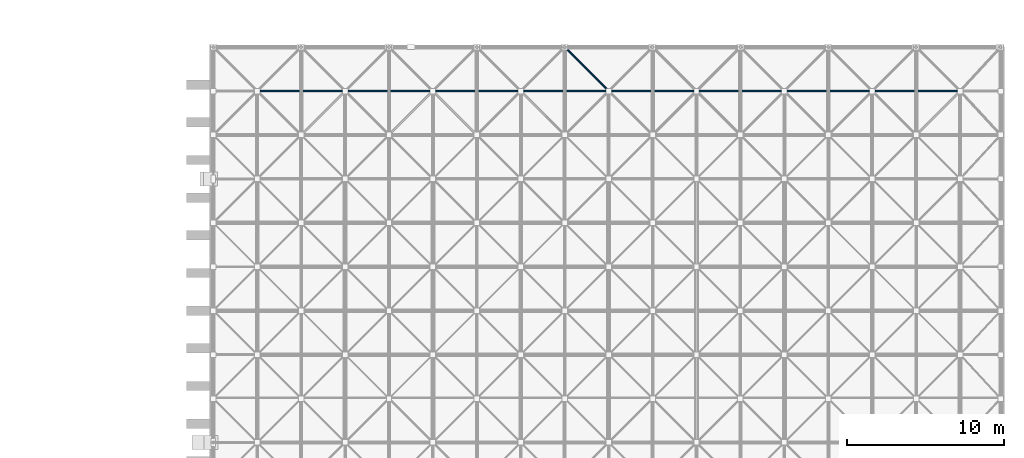
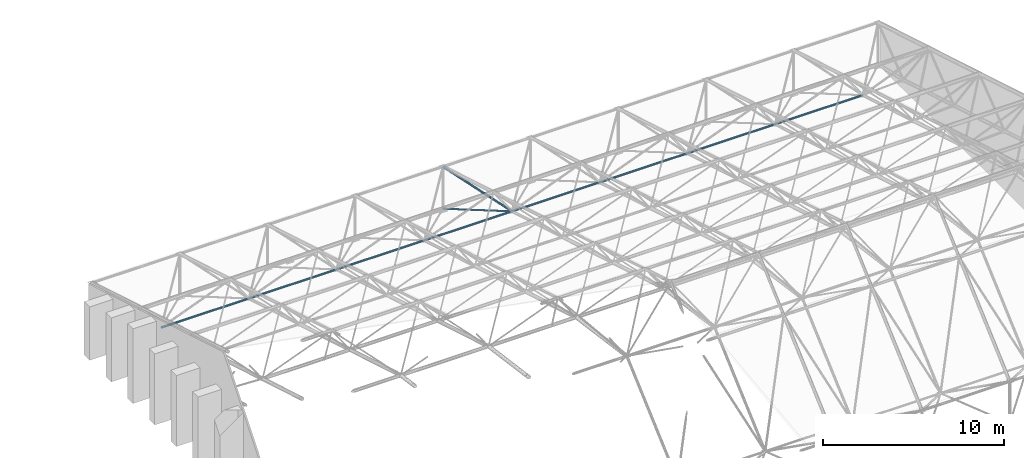
# One storey, part 41 of 100: 3 members.
"""IFC4 building model written with IfcOpenShell, lengths in metres."""

from ifc_helpers import new_model, si_unit, direction, frame, origin, origin_2d, place, context, subcontext, project, spatial, hollow_circle, extrude, material, material_profile, profile_set, type_object, element, save


model = new_model("IFC4")

# Units and contexts
model_context = context("Model", 3, precision=1e-05, world=origin(), true_north=direction((0.0, 1.0)))
body_context = subcontext(model_context, "Body", "Model", "MODEL_VIEW")
ifc_project = project(units=[si_unit("LENGTHUNIT", "METRE"), si_unit("AREAUNIT", "SQUARE_METRE"), si_unit("VOLUMEUNIT", "CUBIC_METRE"), si_unit("PLANEANGLEUNIT", "RADIAN"), si_unit("MASSUNIT", "GRAM", prefix="KILO")], contexts=[model_context])

# Site, building, storey
site_placement = place(None, origin())
site = spatial("IfcSite", under=ifc_project, at=site_placement, CompositionType="ELEMENT")
building_placement = place(site_placement, origin())
building = spatial("IfcBuilding", under=site, at=building_placement, Name="Kiln Court Media Centre", CompositionType="ELEMENT")
storey_placement = place(building_placement, frame((0.0, 0.0, 15.0)))
storey = spatial("IfcBuildingStorey", under=building, at=storey_placement, Name="L03", CompositionType="ELEMENT", Elevation=15.0)

# Members
ifc_material_1 = material(Name="Steel ASTM A500 Gr C", Category="steel")
ifc_material_profile_1 = material_profile(ifc_material_1, hollow_circle(Radius=0.05712890625, WallThickness=0.0048828125, at=origin_2d()), Name="CHS 114.3x5.0")
ifc_profile_set_1 = profile_set([ifc_material_profile_1], Name="Steel ASTM A500 Gr C")
member_type_1 = type_object("IfcMemberType", Name="Steel ASTM A500 Gr C CHS 114.3x5.0 space frame brace", PredefinedType="BRACE", material=ifc_profile_set_1)
member_1_placement = place(storey_placement, frame((140.0, 67.199951171875, 0.16455078125), z_axis=(0.700650262178, -0.700650262178, 0.134827371927), x_axis=(0.707106781187, 0.707106781187, 0.0)))
element("IfcMember", 1, at=member_1_placement, inside=storey, type_object=member_type_1, Name="V2 roof bearing tie last 5 space frame brace", PredefinedType="BRACE", context=body_context, shape_type="SweptSolid", body=[
    extrude(hollow_circle(Radius=0.05712890625, WallThickness=0.0048828125, at=origin_2d()), origin(), (0.0, 0.0, 1.0), 3.996337890625),
])
ifc_material_2 = material(Name="Steel ASTM A500 Gr C", Category="steel")
ifc_material_profile_2 = material_profile(ifc_material_2, hollow_circle(Radius=0.06982421875, WallThickness=0.0048828125, at=origin_2d()), Name="CHS 139.7x5.0")
ifc_profile_set_2 = profile_set([ifc_material_profile_2], Name="Steel ASTM A500 Gr C")
member_type_2 = type_object("IfcMemberType", Name="Steel ASTM A500 Gr C CHS 139.7x5.0 space frame brace", PredefinedType="BRACE", material=ifc_profile_set_2)
member_2_placement = place(storey_placement, frame((142.800048828125, 64.39990234375, 0.703369140625), z_axis=(-0.611675588557, 0.611675588557, 0.501703048353), x_axis=(-0.707106781187, -0.707106781187, 0.0)))
element("IfcMember", 2, at=member_2_placement, inside=storey, type_object=member_type_2, Name="V2 roof diagonal 6-5 space frame brace", PredefinedType="BRACE", context=body_context, shape_type="SweptSolid", body=[
    extrude(hollow_circle(Radius=0.06982421875, WallThickness=0.0048828125, at=origin_2d()), origin(), (0.0, 0.0, 1.0), 4.57763671875),
])
ifc_material_3 = material(Name="Steel ASTM A500 Gr C", Category="steel")
ifc_material_profile_3 = material_profile(ifc_material_3, hollow_circle(Radius=0.06982421875, WallThickness=0.0048828125, at=origin_2d()), Name="CHS 139.7x5.0")
ifc_profile_set_3 = profile_set([ifc_material_profile_3], Name="Steel ASTM A500 Gr C")
member_type_3 = type_object("IfcMemberType", Name="Steel ASTM A500 Gr C CHS 139.7x5.0 space frame chord", PredefinedType="CHORD", material=ifc_profile_set_3)
member_3_placement = place(storey_placement, frame((120.39990234375, 64.39990234375, 0.703369140625), z_axis=(1.0, 0.0, 0.0), x_axis=(0.0, 1.0, 0.0)))
element("IfcMember", 3, at=member_3_placement, inside=storey, type_object=member_type_3, Name="V2 roof bottom chord along line 6 space frame chord", PredefinedType="CHORD", context=body_context, shape_type="SweptSolid", body=[
    extrude(hollow_circle(Radius=0.06982421875, WallThickness=0.0048828125, at=origin_2d()), origin(), (0.0, 0.0, 1.0), 44.800048828125),
])

save(model, "model.ifc")
